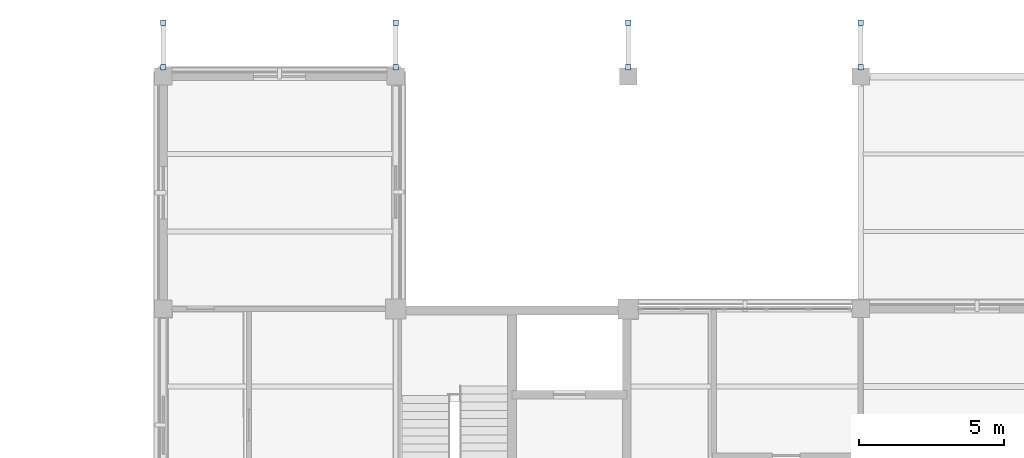
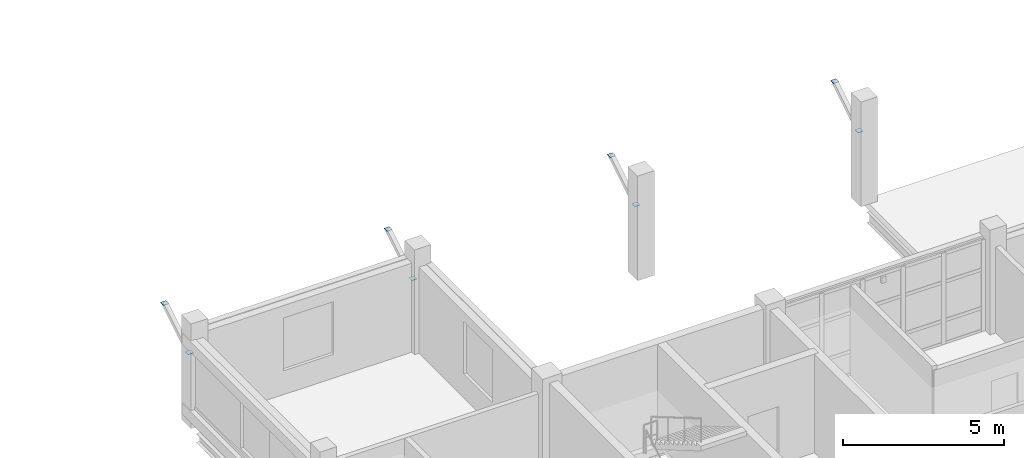
# One storey, part 21 of 35: 8 plates.
"""IFC4 building model written with IfcOpenShell, lengths in metres."""

from ifc_helpers import new_model, si_unit, derived_unit, direction, frame, origin, origin_2d, place, context, subcontext, project, spatial, rectangle, extrude, material, layer, layer_set, type_object, element, save


model = new_model("IFC4")

# Units and contexts
model_context = context("Model", 3, precision=1e-05, world=origin(), true_north=direction((0.0, 1.0)))
body_context = subcontext(model_context, "Body", "Model", "MODEL_VIEW")
ifc_project = project(units=[si_unit("LENGTHUNIT", "METRE"), si_unit("AREAUNIT", "SQUARE_METRE"), si_unit("VOLUMEUNIT", "CUBIC_METRE"), si_unit("PLANEANGLEUNIT", "RADIAN"), si_unit("MASSUNIT", "GRAM", prefix="KILO"), derived_unit("THERMALTRANSMITTANCEUNIT", [(si_unit("MASSUNIT", "GRAM", prefix="KILO"), 1), (si_unit("TIMEUNIT", "SECOND"), -3), (si_unit("THERMODYNAMICTEMPERATUREUNIT", "KELVIN"), -1)])], contexts=[model_context])

# Site, building, storey
site_placement = place(None, origin())
site = spatial("IfcSite", under=ifc_project, at=site_placement, CompositionType="ELEMENT")
building_placement = place(site_placement, origin())
building = spatial("IfcBuilding", under=site, at=building_placement, Name="Veyamyaing Civic Hall", CompositionType="ELEMENT")
storey_placement = place(building_placement, frame((0.0, 0.0, 21.780029296875)))
storey = spatial("IfcBuildingStorey", under=building, at=storey_placement, Name="L05", CompositionType="ELEMENT", Elevation=21.780029296875)

# Plates
ifc_material = material(Name="Steel S355J2", Category="steel")
ifc_layer = layer(ifc_material, 0.01611328125, Name="Steel S355J2")
ifc_layer_set = layer_set([ifc_layer], Name="Steel S355J2")
plate_type = type_object("IfcPlateType", Name="GP-03", PredefinedType="SHEET", material=ifc_layer_set)
for number, where, z_axis, x_axis, name in (
    (1, (128.0, 112.320068359375, 2.40185546875), (0.0, 0.0, 1.0), (0.0, 1.0, 0.0), "Eave strut end-cap plate GP-03 V4-NE.16.1"),
    (2, (128.0, 113.85009765625, 3.341796875), (0.0, 0.0, 1.0), (0.0, 1.0, 0.0), "Eave strut end-cap plate GP-03 V4-NE.16.2"),
    (3, (136.0, 112.320068359375, 2.40185546875), (0.0, 0.0, 1.0), (0.0, 1.0, 0.0), "Eave strut end-cap plate GP-03 V4-NE.17.1"),
    (4, (136.0, 113.85009765625, 3.341796875), (0.0, 0.0, 1.0), (0.0, 1.0, 0.0), "Eave strut end-cap plate GP-03 V4-NE.17.2"),
    (5, (144.0, 112.320068359375, 2.40185546875), (0.0, 0.0, 1.0), (0.0, 1.0, 0.0), "Eave strut end-cap plate GP-03 V4-NE.18.1"),
    (6, (144.0, 113.85009765625, 3.341796875), (0.0, 0.0, 1.0), (0.0, 1.0, 0.0), "Eave strut end-cap plate GP-03 V4-NE.18.2"),
    (7, (152.0, 112.320068359375, 2.40185546875), (0.0, 0.0, 1.0), (0.0, 1.0, 0.0), "Eave strut end-cap plate GP-03 V4-NE.19.1"),
    (8, (152.0, 113.85009765625, 3.341796875), (0.0, 0.0, 1.0), (0.0, 1.0, 0.0), "Eave strut end-cap plate GP-03 V4-NE.19.2"),
):
    element("IfcPlate", number, at=place(storey_placement, frame(where, z_axis=z_axis, x_axis=x_axis)), inside=storey, type_object=plate_type, Name=name, PredefinedType="SHEET", context=body_context, shape_type="SweptSolid", body=[
        extrude(rectangle(XDim=0.18994140625, YDim=0.18994140625, at=origin_2d()), origin(), (0.0, 0.0, 1.0), 0.01611328125),
    ])

save(model, "model.ifc")
